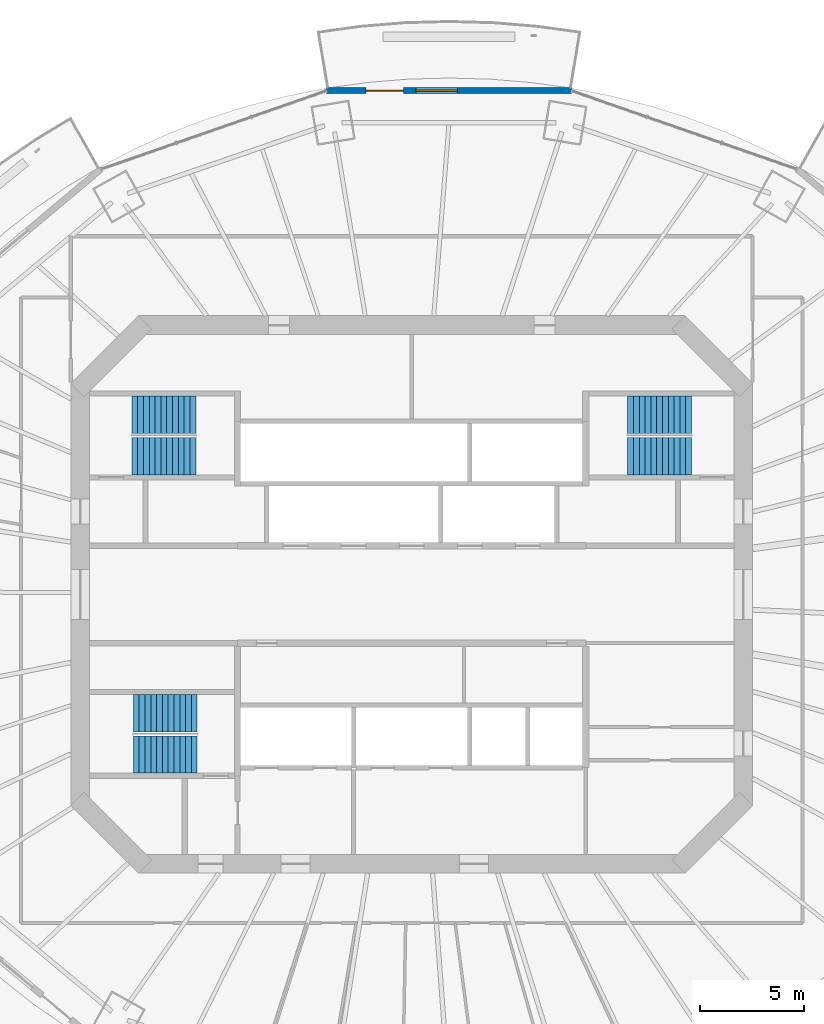
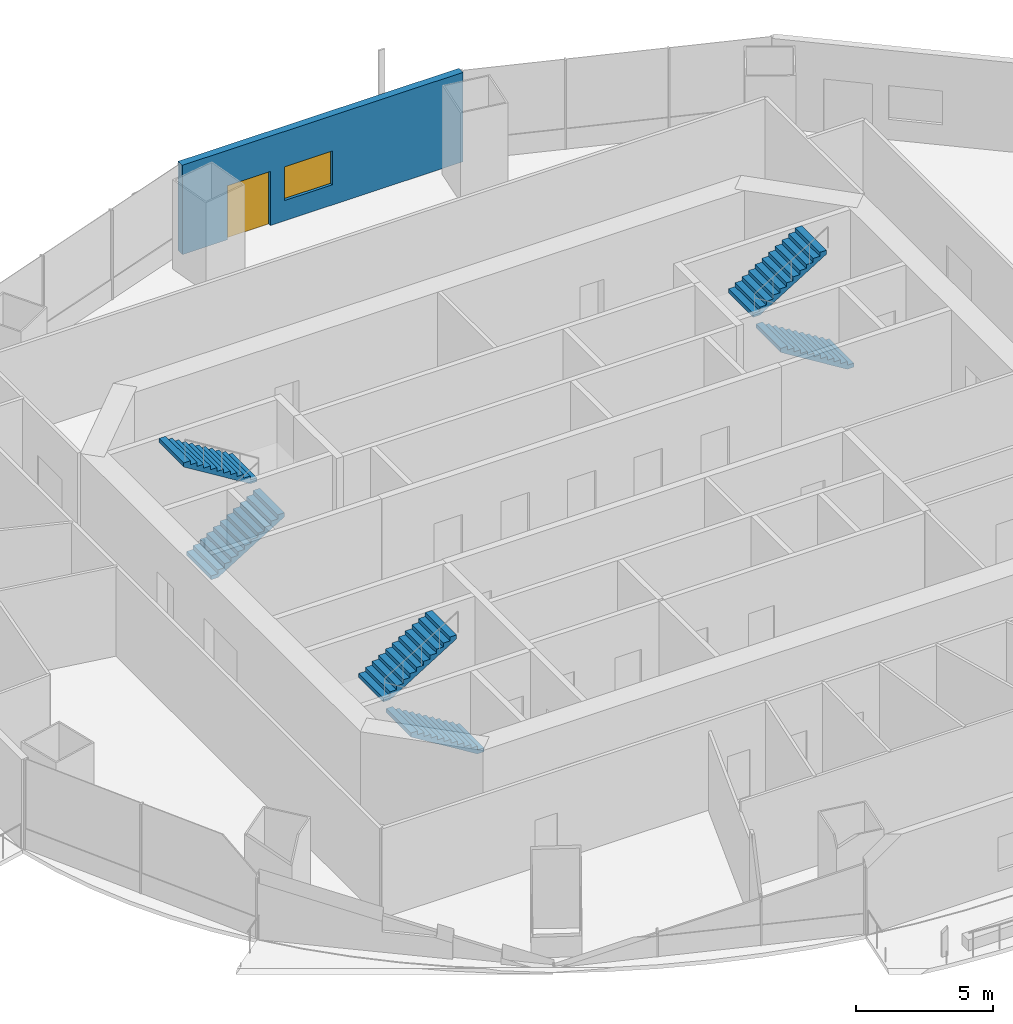
# One storey, part 13 of 19: 6 stair flights, 1 door, 1 wall, 1 window, 2 openings, 3 elements without a shape of their own.
"""IFC4 building model written with IfcOpenShell, lengths in metres."""

from ifc_helpers import new_model, si_unit, direction, frame, frame_2d, origin, place, context, subcontext, project, spatial, polyline, rectangle, outline, extrude, material, layer, layer_set, type_object, element, fill, aggregate, save


model = new_model("IFC4")

# Units and contexts
model_context = context("Model", 3, precision=1e-05, world=origin(), true_north=direction((0.0, 1.0)))
body_context = subcontext(model_context, "Body", "Model", "MODEL_VIEW")
ifc_project = project(units=[si_unit("LENGTHUNIT", "METRE"), si_unit("AREAUNIT", "SQUARE_METRE"), si_unit("VOLUMEUNIT", "CUBIC_METRE"), si_unit("PLANEANGLEUNIT", "RADIAN"), si_unit("MASSUNIT", "GRAM", prefix="KILO")], contexts=[model_context])

# Site, building, storey
site_placement = place(None, origin())
site = spatial("IfcSite", under=ifc_project, at=site_placement, CompositionType="ELEMENT")
building_placement = place(site_placement, origin())
building = spatial("IfcBuilding", under=site, at=building_placement, Name="Marenthal Gate Tower", CompositionType="ELEMENT")
storey_placement = place(building_placement, frame((0.0, 0.0, 239.89990234375)))
storey = spatial("IfcBuildingStorey", under=building, at=storey_placement, Name="L53", CompositionType="ELEMENT", Elevation=239.89990234375)

# Wall, openings, door, window
ifc_material_1 = material(Name="Terracotta cladding on insulated concrete-block backing", Category="masonry")
ifc_layer = layer(ifc_material_1, 0.300048828125)
ifc_layer_set = layer_set([ifc_layer], Name="Terracotta facade wall 300")
wall_type = type_object("IfcWallType", Name="Terracotta facade wall 300", PredefinedType="SOLIDWALL", material=ifc_layer_set)
wall_placement = place(storey_placement, frame((7.700439453125, 24.31103515625, 0.0), z_axis=(0.0, 0.0, 1.0), x_axis=(-1.0, 0.0, 0.0)))
wall = element("IfcWall", 1, at=wall_placement, inside=storey, type_object=wall_type, Name="Terracotta facade wall L53 bay 4", PredefinedType="SOLIDWALL", context=body_context, shape_type="SweptSolid", body=[
    extrude(rectangle(XDim=11.801025390625, YDim=0.300048828125, at=frame_2d((5.900390625, 0.0))), origin(), (0.0, 0.0, 1.0), 3.97021484375),
])
opening_1_placement = place(wall_placement, frame((8.10107421875, 0.0, 0.0)))
opening_1 = element("IfcOpeningElement", 2, at=opening_1_placement, cuts=wall, Name="Opening BD-L53-04", PredefinedType="OPENING", context=body_context, shape_type="SweptSolid", body=[
    extrude(rectangle(XDim=1.800048828125, YDim=2.39990234375, at=frame_2d((0.89990234375, 1.199951171875))), frame((0.0, 0.16015625, 0.0), z_axis=(0.0, -1.0, 0.0), x_axis=(1.0, 0.0, 0.0)), (0.0, 0.0, 1.0), 0.320068359375),
])
opening_2_placement = place(wall_placement, frame((5.5009765625, 0.0, 0.89990234375)))
opening_2 = element("IfcOpeningElement", 3, at=opening_2_placement, cuts=wall, Name="Opening WN2-L53-04", PredefinedType="OPENING", context=body_context, shape_type="SweptSolid", body=[
    extrude(rectangle(XDim=2.0, YDim=1.5, at=frame_2d((1.0, 0.75))), frame((0.0, 0.16015625, 0.0), z_axis=(0.0, -1.0, 0.0), x_axis=(1.0, 0.0, 0.0)), (0.0, 0.0, 1.0), 0.320068359375),
])
ifc_material_2 = material(Name="Aluminium and glass", Category="aluminium")
door_type = type_object("IfcDoorType", Name="Balcony door 1800x2400", OperationType="DOUBLE_DOOR_SINGLE_SWING", PredefinedType="DOOR", material=ifc_material_2)
door_placement = place(opening_1_placement, origin())
door = element("IfcDoor", 4, at=door_placement, inside=storey, type_object=door_type, Name="Balcony door L53 bay 4", OperationType="SINGLE_SWING_LEFT", OverallHeight=2.39990234375, OverallWidth=1.800048828125, PredefinedType="DOOR", context=body_context, shape_type="SweptSolid", body=[
    extrude(rectangle(XDim=1.800048828125, YDim=2.39990234375, at=frame_2d((0.89990234375, 1.199951171875))), frame((0.0, 0.02490234375, 0.0), z_axis=(0.0, -1.0, 0.0), x_axis=(1.0, 0.0, 0.0)), (0.0, 0.0, 1.0), 0.050048828125),
])
fill(opening_1, door)
ifc_material_3 = material(Name="Aluminium and glass", Category="aluminium")
window_type = type_object("IfcWindowType", Name="Window 2000x1500", PartitioningType="DOUBLE_PANEL_VERTICAL", PredefinedType="WINDOW", material=ifc_material_3)
window_placement = place(opening_2_placement, origin())
window = element("IfcWindow", 5, at=window_placement, inside=storey, type_object=window_type, Name="Window L53 bay 4", OverallHeight=1.5, OverallWidth=2.0, PartitioningType="SINGLE_PANEL", PredefinedType="WINDOW", context=body_context, shape_type="SweptSolid", body=[
    extrude(rectangle(XDim=2.0, YDim=1.5, at=frame_2d((1.0, 0.75))), frame((0.0, 0.030029296875, 0.0), z_axis=(0.0, -1.0, 0.0), x_axis=(1.0, 0.0, 0.0)), (0.0, 0.0, 1.0), 0.06005859375),
])
fill(opening_2, window)

# Stair, stair flights
ifc_material_4 = material(Name="Concrete 40 MPa", Category="concrete")
stair_type = type_object("IfcStairType", Name="Exit stair 1800", PredefinedType="HALF_TURN_STAIR", material=ifc_material_4)
stair_1_placement = place(storey_placement, origin())
stair_1 = element("IfcStair", 6, at=stair_1_placement, inside=storey, type_object=stair_type, Name="Stair ST1", PredefinedType="HALF_TURN_STAIR")
ifc_material_5 = material(Name="Concrete 40 MPa", Category="concrete")
stair_flight_type = type_object("IfcStairFlightType", Name="Stair flight 1800", PredefinedType="STRAIGHT", material=ifc_material_5)
stair_flight_1_placement = place(storey_placement, frame((-13.5, 6.675048828125, 0.0), z_axis=(0.0, 0.0, 1.0), x_axis=(1.0, 0.0, 0.0)))
stair_flight_1 = element("IfcStairFlight", 7, at=stair_flight_1_placement, type_object=stair_flight_type, Name="ST1 flight 1", NumberOfRisers=12, NumberOfTreads=11, PredefinedType="STRAIGHT", RiserHeight=0.172916667, TreadLength=0.28, context=body_context, shape_type="SweptSolid", body=[
    extrude(outline(polyline([(0.0, 0.0), (0.0, 0.1728515625), (0.280029296875, 0.1728515625), (0.280029296875, 0.345947265625), (0.56005859375, 0.345947265625), (0.56005859375, 0.518798828125), (0.840087890625, 0.518798828125), (0.840087890625, 0.691650390625), (1.1201171875, 0.691650390625), (1.1201171875, 0.864501953125), (1.39990234375, 0.864501953125), (1.39990234375, 1.03759765625), (1.679931640625, 1.03759765625), (1.679931640625, 1.21044921875), (1.9599609375, 1.21044921875), (1.9599609375, 1.38330078125), (2.239990234375, 1.38330078125), (2.239990234375, 1.55615234375), (2.52001953125, 1.55615234375), (2.52001953125, 1.729248046875), (2.800048828125, 1.729248046875), (2.800048828125, 1.902099609375), (3.080078125, 1.902099609375), (3.080078125, 2.074951171875), (3.080078125, 1.725830078125), (0.285400390625, 0.0), (0.0, 0.0)])), frame((0.0, 0.89990234375, 0.0), z_axis=(0.0, -1.0, 0.0), x_axis=(1.0, 0.0, 0.0)), (0.0, 0.0, 1.0), 1.800048828125),
])
stair_flight_2_placement = place(storey_placement, frame((-10.419921875, 8.675048828125, 2.0751953125), z_axis=(0.0, 0.0, 1.0), x_axis=(-1.0, 0.0, 0.0)))
stair_flight_2 = element("IfcStairFlight", 8, at=stair_flight_2_placement, type_object=stair_flight_type, Name="ST1 flight 2", NumberOfRisers=12, NumberOfTreads=11, PredefinedType="STRAIGHT", RiserHeight=0.172916667, TreadLength=0.28, context=body_context, shape_type="SweptSolid", body=[
    extrude(outline(polyline([(0.0, 0.0), (0.0, 0.1728515625), (0.280029296875, 0.1728515625), (0.280029296875, 0.345947265625), (0.56005859375, 0.345947265625), (0.56005859375, 0.518798828125), (0.840087890625, 0.518798828125), (0.840087890625, 0.691650390625), (1.1201171875, 0.691650390625), (1.1201171875, 0.864501953125), (1.39990234375, 0.864501953125), (1.39990234375, 1.03759765625), (1.679931640625, 1.03759765625), (1.679931640625, 1.21044921875), (1.9599609375, 1.21044921875), (1.9599609375, 1.38330078125), (2.239990234375, 1.38330078125), (2.239990234375, 1.55615234375), (2.52001953125, 1.55615234375), (2.52001953125, 1.729248046875), (2.800048828125, 1.729248046875), (2.800048828125, 1.902099609375), (3.080078125, 1.902099609375), (3.080078125, 2.074951171875), (3.080078125, 1.725830078125), (0.285400390625, 0.0), (0.0, 0.0)])), frame((0.0, 0.89990234375, 0.0), z_axis=(0.0, -1.0, 0.0), x_axis=(1.0, 0.0, 0.0)), (0.0, 0.0, 1.0), 1.800048828125),
])
aggregate(stair_1, [stair_flight_1, stair_flight_2])

stair_2_placement = place(storey_placement, origin())
stair_2 = element("IfcStair", 9, at=stair_2_placement, inside=storey, type_object=stair_type, Name="Stair ST2", PredefinedType="HALF_TURN_STAIR")
stair_flight_3_placement = place(storey_placement, frame((-10.35009765625, -7.72509765625, 0.0), z_axis=(0.0, 0.0, 1.0), x_axis=(-1.0, 0.0, 0.0)))
stair_flight_3 = element("IfcStairFlight", 10, at=stair_flight_3_placement, type_object=stair_flight_type, Name="ST2 flight 1", NumberOfRisers=12, NumberOfTreads=11, PredefinedType="STRAIGHT", RiserHeight=0.172916667, TreadLength=0.28, context=body_context, shape_type="SweptSolid", body=[
    extrude(outline(polyline([(0.0, 0.0), (0.0, 0.1728515625), (0.280029296875, 0.1728515625), (0.280029296875, 0.345947265625), (0.56005859375, 0.345947265625), (0.56005859375, 0.518798828125), (0.840087890625, 0.518798828125), (0.840087890625, 0.691650390625), (1.1201171875, 0.691650390625), (1.1201171875, 0.864501953125), (1.39990234375, 0.864501953125), (1.39990234375, 1.03759765625), (1.679931640625, 1.03759765625), (1.679931640625, 1.21044921875), (1.9599609375, 1.21044921875), (1.9599609375, 1.38330078125), (2.239990234375, 1.38330078125), (2.239990234375, 1.55615234375), (2.52001953125, 1.55615234375), (2.52001953125, 1.729248046875), (2.800048828125, 1.729248046875), (2.800048828125, 1.902099609375), (3.080078125, 1.902099609375), (3.080078125, 2.074951171875), (3.080078125, 1.725830078125), (0.285400390625, 0.0), (0.0, 0.0)])), frame((0.0, 0.89990234375, 0.0), z_axis=(0.0, -1.0, 0.0), x_axis=(1.0, 0.0, 0.0)), (0.0, 0.0, 1.0), 1.800048828125),
])
stair_flight_4_placement = place(storey_placement, frame((-13.429931640625, -5.72509765625, 2.0751953125), z_axis=(0.0, 0.0, 1.0), x_axis=(1.0, 0.0, 0.0)))
stair_flight_4 = element("IfcStairFlight", 11, at=stair_flight_4_placement, type_object=stair_flight_type, Name="ST2 flight 2", NumberOfRisers=12, NumberOfTreads=11, PredefinedType="STRAIGHT", RiserHeight=0.172916667, TreadLength=0.28, context=body_context, shape_type="SweptSolid", body=[
    extrude(outline(polyline([(0.0, 0.0), (0.0, 0.1728515625), (0.280029296875, 0.1728515625), (0.280029296875, 0.345947265625), (0.56005859375, 0.345947265625), (0.56005859375, 0.518798828125), (0.840087890625, 0.518798828125), (0.840087890625, 0.691650390625), (1.1201171875, 0.691650390625), (1.1201171875, 0.864501953125), (1.39990234375, 0.864501953125), (1.39990234375, 1.03759765625), (1.679931640625, 1.03759765625), (1.679931640625, 1.21044921875), (1.9599609375, 1.21044921875), (1.9599609375, 1.38330078125), (2.239990234375, 1.38330078125), (2.239990234375, 1.55615234375), (2.52001953125, 1.55615234375), (2.52001953125, 1.729248046875), (2.800048828125, 1.729248046875), (2.800048828125, 1.902099609375), (3.080078125, 1.902099609375), (3.080078125, 2.074951171875), (3.080078125, 1.725830078125), (0.285400390625, 0.0), (0.0, 0.0)])), frame((0.0, 0.89990234375, 0.0), z_axis=(0.0, -1.0, 0.0), x_axis=(1.0, 0.0, 0.0)), (0.0, 0.0, 1.0), 1.800048828125),
])
aggregate(stair_2, [stair_flight_3, stair_flight_4])

stair_3_placement = place(storey_placement, origin())
stair_3 = element("IfcStair", 12, at=stair_3_placement, inside=storey, type_object=stair_type, Name="Stair ST3", PredefinedType="HALF_TURN_STAIR")
stair_flight_5_placement = place(storey_placement, frame((13.5, 6.675048828125, 0.0), z_axis=(0.0, 0.0, 1.0), x_axis=(-1.0, 0.0, 0.0)))
stair_flight_5 = element("IfcStairFlight", 13, at=stair_flight_5_placement, type_object=stair_flight_type, Name="ST3 flight 1", NumberOfRisers=12, NumberOfTreads=11, PredefinedType="STRAIGHT", RiserHeight=0.172916667, TreadLength=0.28, context=body_context, shape_type="SweptSolid", body=[
    extrude(outline(polyline([(0.0, 0.0), (0.0, 0.1728515625), (0.280029296875, 0.1728515625), (0.280029296875, 0.345947265625), (0.56005859375, 0.345947265625), (0.56005859375, 0.518798828125), (0.840087890625, 0.518798828125), (0.840087890625, 0.691650390625), (1.1201171875, 0.691650390625), (1.1201171875, 0.864501953125), (1.39990234375, 0.864501953125), (1.39990234375, 1.03759765625), (1.679931640625, 1.03759765625), (1.679931640625, 1.21044921875), (1.9599609375, 1.21044921875), (1.9599609375, 1.38330078125), (2.239990234375, 1.38330078125), (2.239990234375, 1.55615234375), (2.52001953125, 1.55615234375), (2.52001953125, 1.729248046875), (2.800048828125, 1.729248046875), (2.800048828125, 1.902099609375), (3.080078125, 1.902099609375), (3.080078125, 2.074951171875), (3.080078125, 1.725830078125), (0.285400390625, 0.0), (0.0, 0.0)])), frame((0.0, 0.89990234375, 0.0), z_axis=(0.0, -1.0, 0.0), x_axis=(1.0, 0.0, 0.0)), (0.0, 0.0, 1.0), 1.800048828125),
])
stair_flight_6_placement = place(storey_placement, frame((10.419921875, 8.675048828125, 2.0751953125), z_axis=(0.0, 0.0, 1.0), x_axis=(1.0, 0.0, 0.0)))
stair_flight_6 = element("IfcStairFlight", 14, at=stair_flight_6_placement, type_object=stair_flight_type, Name="ST3 flight 2", NumberOfRisers=12, NumberOfTreads=11, PredefinedType="STRAIGHT", RiserHeight=0.172916667, TreadLength=0.28, context=body_context, shape_type="SweptSolid", body=[
    extrude(outline(polyline([(0.0, 0.0), (0.0, 0.1728515625), (0.280029296875, 0.1728515625), (0.280029296875, 0.345947265625), (0.56005859375, 0.345947265625), (0.56005859375, 0.518798828125), (0.840087890625, 0.518798828125), (0.840087890625, 0.691650390625), (1.1201171875, 0.691650390625), (1.1201171875, 0.864501953125), (1.39990234375, 0.864501953125), (1.39990234375, 1.03759765625), (1.679931640625, 1.03759765625), (1.679931640625, 1.21044921875), (1.9599609375, 1.21044921875), (1.9599609375, 1.38330078125), (2.239990234375, 1.38330078125), (2.239990234375, 1.55615234375), (2.52001953125, 1.55615234375), (2.52001953125, 1.729248046875), (2.800048828125, 1.729248046875), (2.800048828125, 1.902099609375), (3.080078125, 1.902099609375), (3.080078125, 2.074951171875), (3.080078125, 1.725830078125), (0.285400390625, 0.0), (0.0, 0.0)])), frame((0.0, 0.89990234375, 0.0), z_axis=(0.0, -1.0, 0.0), x_axis=(1.0, 0.0, 0.0)), (0.0, 0.0, 1.0), 1.800048828125),
])
aggregate(stair_3, [stair_flight_5, stair_flight_6])

save(model, "model.ifc")
